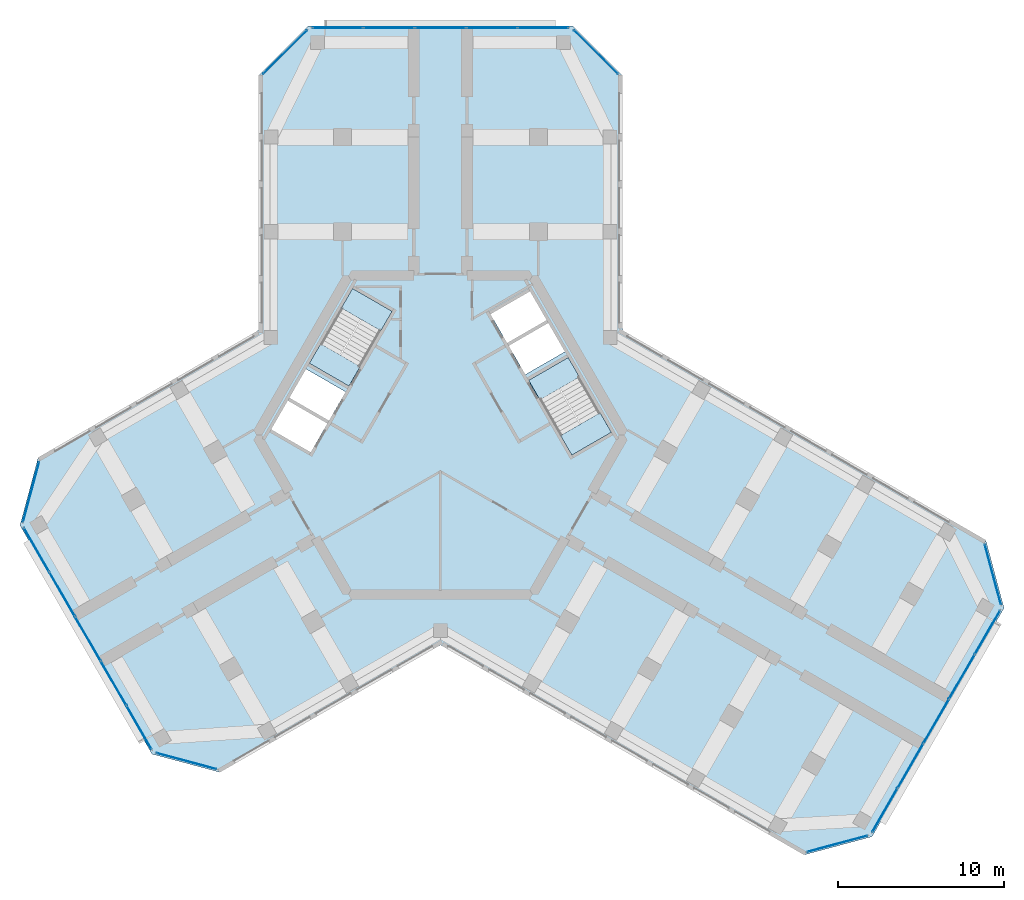
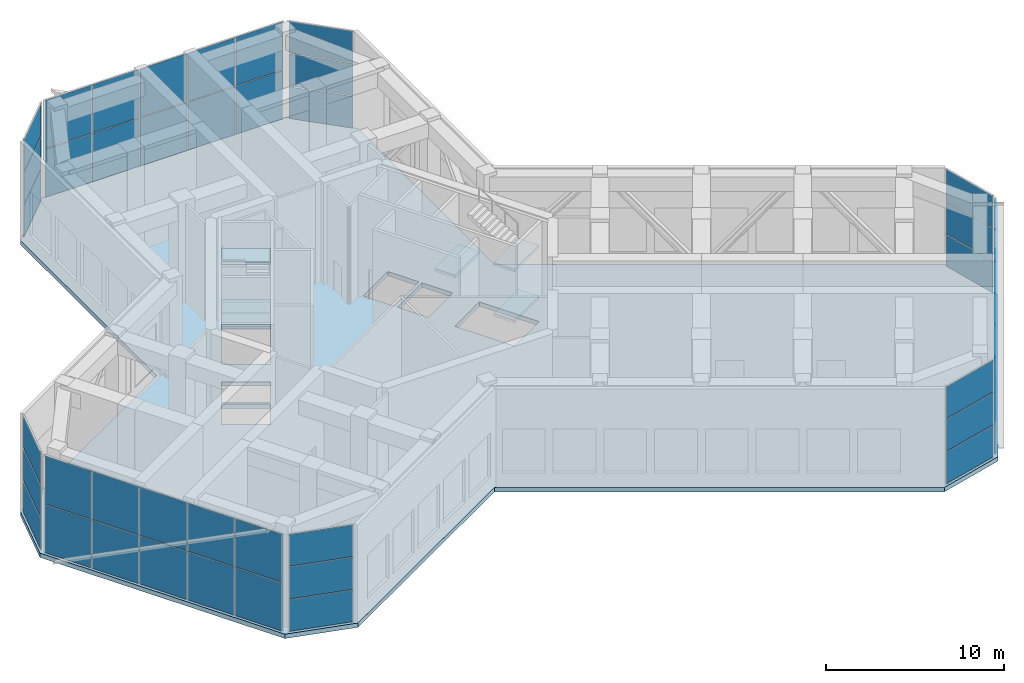
# One storey, part 7 of 12: 48 plates, 7 slabs, 11 elements without a shape of their own.
"""IFC4 building model written with IfcOpenShell, lengths in metres."""

from ifc_helpers import new_model, si_unit, direction, frame, origin, origin_2d, place, context, subcontext, project, spatial, polyline, rectangle, outline, extrude, material, layer, layer_set, type_object, element, aggregate, save


model = new_model("IFC4")

# Units and contexts
model_context = context("Model", 3, precision=1e-05, world=origin(), true_north=direction((0.0, 1.0)))
body_context = subcontext(model_context, "Body", "Model", "MODEL_VIEW")
ifc_project = project(units=[si_unit("LENGTHUNIT", "METRE"), si_unit("AREAUNIT", "SQUARE_METRE"), si_unit("VOLUMEUNIT", "CUBIC_METRE"), si_unit("PLANEANGLEUNIT", "RADIAN"), si_unit("MASSUNIT", "GRAM", prefix="KILO")], contexts=[model_context])

# Site, building, storey
site_placement = place(None, origin())
site = spatial("IfcSite", under=ifc_project, at=site_placement, CompositionType="ELEMENT")
building_placement = place(site_placement, origin())
building = spatial("IfcBuilding", under=site, at=building_placement, Name="Kosmar Iwan School Tower", CompositionType="ELEMENT")
storey_placement = place(building_placement, frame((0.0, 0.0, 260.39990234375)))
storey = spatial("IfcBuildingStorey", under=building, at=storey_placement, Name="L66", CompositionType="ELEMENT", Elevation=260.39990234375)

# Curtain wall, plates
ifc_material_1 = material(Name="Black aluminium louvres and glass", Category="aluminium")
curtain_wall_type_1 = type_object("IfcCurtainWallType", Name="Plant floor louvred curtain wall", PredefinedType="USERDEFINED", material=ifc_material_1)
curtain_wall_1_placement = place(storey_placement, origin())
curtain_wall_1 = element("IfcCurtainWall", 1, at=curtain_wall_1_placement, inside=storey, type_object=curtain_wall_type_1, Name="Curtain wall L66-F01", ObjectType="LOUVRED CURTAIN WALL", PredefinedType="USERDEFINED")
ifc_material_2 = material(Name="Black anodised aluminium louvre blades", Category="aluminium")
ifc_layer_1 = layer(ifc_material_2, 0.050048828125)
ifc_layer_set_1 = layer_set([ifc_layer_1], Name="Aluminium louvre panel")
plate_type_1 = type_object("IfcPlateType", Name="Aluminium louvre panel", PredefinedType="SHEET", material=ifc_layer_set_1)
plate_1_placement = place(storey_placement, frame((26.764404296875, -22.592529296875, 0.06005859375), z_axis=(0.0, 0.0, 1.0), x_axis=(0.499999997325, 0.866025405329, 0.0)))
plate_1 = element("IfcPlate", 2, at=plate_1_placement, type_object=plate_type_1, Name="CW4 panel 1.1", PredefinedType="CURTAIN_PANEL", context=body_context, shape_type="SweptSolid", body=[
    extrude(rectangle(XDim=3.00927734375, YDim=0.050048828125, at=origin_2d()), origin(), (0.0, 0.0, 1.0), 3.284912109375),
])
plate_2_placement = place(storey_placement, frame((26.764404296875, -22.592529296875, 3.4052734375), z_axis=(0.0, 0.0, 1.0), x_axis=(0.499999997325, 0.866025405329, 0.0)))
plate_2 = element("IfcPlate", 3, at=plate_2_placement, type_object=plate_type_1, Name="CW4 panel 1.2", PredefinedType="CURTAIN_PANEL", context=body_context, shape_type="SweptSolid", body=[
    extrude(rectangle(XDim=3.00927734375, YDim=0.050048828125, at=origin_2d()), origin(), (0.0, 0.0, 1.0), 3.284912109375),
])
plate_3_placement = place(storey_placement, frame((28.306640625, -19.921630859375, 0.06005859375), z_axis=(0.0, 0.0, 1.0), x_axis=(0.499999997325, 0.866025405329, 0.0)))
plate_3 = element("IfcPlate", 4, at=plate_3_placement, type_object=plate_type_1, Name="CW4 panel 2.1", PredefinedType="CURTAIN_PANEL", context=body_context, shape_type="SweptSolid", body=[
    extrude(rectangle(XDim=3.039306640625, YDim=0.050048828125, at=origin_2d()), origin(), (0.0, 0.0, 1.0), 3.284912109375),
])
plate_4_placement = place(storey_placement, frame((28.306640625, -19.921630859375, 3.4052734375), z_axis=(0.0, 0.0, 1.0), x_axis=(0.499999997325, 0.866025405329, 0.0)))
plate_4 = element("IfcPlate", 5, at=plate_4_placement, type_object=plate_type_1, Name="CW4 panel 2.2", PredefinedType="CURTAIN_PANEL", context=body_context, shape_type="SweptSolid", body=[
    extrude(rectangle(XDim=3.039306640625, YDim=0.050048828125, at=origin_2d()), origin(), (0.0, 0.0, 1.0), 3.284912109375),
])
plate_5_placement = place(storey_placement, frame((29.856201171875, -17.237548828125, 0.06005859375), z_axis=(0.0, 0.0, 1.0), x_axis=(0.499999997325, 0.866025405329, 0.0)))
plate_5 = element("IfcPlate", 6, at=plate_5_placement, type_object=plate_type_1, Name="CW4 panel 3.1", PredefinedType="CURTAIN_PANEL", context=body_context, shape_type="SweptSolid", body=[
    extrude(rectangle(XDim=3.039306640625, YDim=0.050048828125, at=origin_2d()), origin(), (0.0, 0.0, 1.0), 3.284912109375),
])
plate_6_placement = place(storey_placement, frame((29.856201171875, -17.237548828125, 3.4052734375), z_axis=(0.0, 0.0, 1.0), x_axis=(0.499999997325, 0.866025405329, 0.0)))
plate_6 = element("IfcPlate", 7, at=plate_6_placement, type_object=plate_type_1, Name="CW4 panel 3.2", PredefinedType="CURTAIN_PANEL", context=body_context, shape_type="SweptSolid", body=[
    extrude(rectangle(XDim=3.039306640625, YDim=0.050048828125, at=origin_2d()), origin(), (0.0, 0.0, 1.0), 3.284912109375),
])
plate_7_placement = place(storey_placement, frame((31.40576171875, -14.553466796875, 0.06005859375), z_axis=(0.0, 0.0, 1.0), x_axis=(0.499999997325, 0.866025405329, 0.0)))
plate_7 = element("IfcPlate", 8, at=plate_7_placement, type_object=plate_type_1, Name="CW4 panel 4.1", PredefinedType="CURTAIN_PANEL", context=body_context, shape_type="SweptSolid", body=[
    extrude(rectangle(XDim=3.039306640625, YDim=0.050048828125, at=origin_2d()), origin(), (0.0, 0.0, 1.0), 3.284912109375),
])
plate_8_placement = place(storey_placement, frame((31.40576171875, -14.553466796875, 3.4052734375), z_axis=(0.0, 0.0, 1.0), x_axis=(0.499999997325, 0.866025405329, 0.0)))
plate_8 = element("IfcPlate", 9, at=plate_8_placement, type_object=plate_type_1, Name="CW4 panel 4.2", PredefinedType="CURTAIN_PANEL", context=body_context, shape_type="SweptSolid", body=[
    extrude(rectangle(XDim=3.039306640625, YDim=0.050048828125, at=origin_2d()), origin(), (0.0, 0.0, 1.0), 3.284912109375),
])
plate_9_placement = place(storey_placement, frame((32.947998046875, -11.88232421875, 0.06005859375), z_axis=(0.0, 0.0, 1.0), x_axis=(0.499999997325, 0.866025405329, 0.0)))
plate_9 = element("IfcPlate", 10, at=plate_9_placement, type_object=plate_type_1, Name="CW4 panel 5.1", PredefinedType="CURTAIN_PANEL", context=body_context, shape_type="SweptSolid", body=[
    extrude(rectangle(XDim=3.00927734375, YDim=0.050048828125, at=origin_2d()), origin(), (0.0, 0.0, 1.0), 3.284912109375),
])
plate_10_placement = place(storey_placement, frame((32.947998046875, -11.88232421875, 3.4052734375), z_axis=(0.0, 0.0, 1.0), x_axis=(0.499999997325, 0.866025405329, 0.0)))
plate_10 = element("IfcPlate", 11, at=plate_10_placement, type_object=plate_type_1, Name="CW4 panel 5.2", PredefinedType="CURTAIN_PANEL", context=body_context, shape_type="SweptSolid", body=[
    extrude(rectangle(XDim=3.00927734375, YDim=0.050048828125, at=origin_2d()), origin(), (0.0, 0.0, 1.0), 3.284912109375),
])
aggregate(curtain_wall_1, [plate_1, plate_2, plate_3, plate_4, plate_5, plate_6, plate_7, plate_8, plate_9, plate_10])

curtain_wall_2_placement = place(storey_placement, origin())
curtain_wall_2 = element("IfcCurtainWall", 12, at=curtain_wall_2_placement, inside=storey, type_object=curtain_wall_type_1, Name="Curtain wall L66-F06", ObjectType="LOUVRED CURTAIN WALL", PredefinedType="USERDEFINED")
plate_11_placement = place(storey_placement, frame((6.18359375, 24.52490234375, 0.06005859375), z_axis=(0.0, 0.0, 1.0), x_axis=(-1.0, 0.0, 0.0)))
plate_11 = element("IfcPlate", 13, at=plate_11_placement, type_object=plate_type_1, Name="CW4 panel 1.1", PredefinedType="CURTAIN_PANEL", context=body_context, shape_type="SweptSolid", body=[
    extrude(rectangle(XDim=3.00927734375, YDim=0.050048828125, at=origin_2d()), origin(), (0.0, 0.0, 1.0), 3.284912109375),
])
plate_12_placement = place(storey_placement, frame((6.18359375, 24.52490234375, 3.4052734375), z_axis=(0.0, 0.0, 1.0), x_axis=(-1.0, 0.0, 0.0)))
plate_12 = element("IfcPlate", 14, at=plate_12_placement, type_object=plate_type_1, Name="CW4 panel 1.2", PredefinedType="CURTAIN_PANEL", context=body_context, shape_type="SweptSolid", body=[
    extrude(rectangle(XDim=3.00927734375, YDim=0.050048828125, at=origin_2d()), origin(), (0.0, 0.0, 1.0), 3.284912109375),
])
plate_13_placement = place(storey_placement, frame((3.099365234375, 24.52490234375, 0.06005859375), z_axis=(0.0, 0.0, 1.0), x_axis=(-1.0, 0.0, 0.0)))
plate_13 = element("IfcPlate", 15, at=plate_13_placement, type_object=plate_type_1, Name="CW4 panel 2.1", PredefinedType="CURTAIN_PANEL", context=body_context, shape_type="SweptSolid", body=[
    extrude(rectangle(XDim=3.039306640625, YDim=0.050048828125, at=origin_2d()), origin(), (0.0, 0.0, 1.0), 3.284912109375),
])
plate_14_placement = place(storey_placement, frame((3.099365234375, 24.52490234375, 3.4052734375), z_axis=(0.0, 0.0, 1.0), x_axis=(-1.0, 0.0, 0.0)))
plate_14 = element("IfcPlate", 16, at=plate_14_placement, type_object=plate_type_1, Name="CW4 panel 2.2", PredefinedType="CURTAIN_PANEL", context=body_context, shape_type="SweptSolid", body=[
    extrude(rectangle(XDim=3.039306640625, YDim=0.050048828125, at=origin_2d()), origin(), (0.0, 0.0, 1.0), 3.284912109375),
])
plate_15_placement = place(storey_placement, frame((0.0, 24.52490234375, 0.06005859375), z_axis=(0.0, 0.0, 1.0), x_axis=(-1.0, 0.0, 0.0)))
plate_15 = element("IfcPlate", 17, at=plate_15_placement, type_object=plate_type_1, Name="CW4 panel 3.1", PredefinedType="CURTAIN_PANEL", context=body_context, shape_type="SweptSolid", body=[
    extrude(rectangle(XDim=3.039306640625, YDim=0.050048828125, at=origin_2d()), origin(), (0.0, 0.0, 1.0), 3.284912109375),
])
plate_16_placement = place(storey_placement, frame((0.0, 24.52490234375, 3.4052734375), z_axis=(0.0, 0.0, 1.0), x_axis=(-1.0, 0.0, 0.0)))
plate_16 = element("IfcPlate", 18, at=plate_16_placement, type_object=plate_type_1, Name="CW4 panel 3.2", PredefinedType="CURTAIN_PANEL", context=body_context, shape_type="SweptSolid", body=[
    extrude(rectangle(XDim=3.039306640625, YDim=0.050048828125, at=origin_2d()), origin(), (0.0, 0.0, 1.0), 3.284912109375),
])
plate_17_placement = place(storey_placement, frame((-3.099365234375, 24.52490234375, 0.06005859375), z_axis=(0.0, 0.0, 1.0), x_axis=(-1.0, 0.0, 0.0)))
plate_17 = element("IfcPlate", 19, at=plate_17_placement, type_object=plate_type_1, Name="CW4 panel 4.1", PredefinedType="CURTAIN_PANEL", context=body_context, shape_type="SweptSolid", body=[
    extrude(rectangle(XDim=3.039306640625, YDim=0.050048828125, at=origin_2d()), origin(), (0.0, 0.0, 1.0), 3.284912109375),
])
plate_18_placement = place(storey_placement, frame((-3.099365234375, 24.52490234375, 3.4052734375), z_axis=(0.0, 0.0, 1.0), x_axis=(-1.0, 0.0, 0.0)))
plate_18 = element("IfcPlate", 20, at=plate_18_placement, type_object=plate_type_1, Name="CW4 panel 4.2", PredefinedType="CURTAIN_PANEL", context=body_context, shape_type="SweptSolid", body=[
    extrude(rectangle(XDim=3.039306640625, YDim=0.050048828125, at=origin_2d()), origin(), (0.0, 0.0, 1.0), 3.284912109375),
])
plate_19_placement = place(storey_placement, frame((-6.18359375, 24.52490234375, 0.06005859375), z_axis=(0.0, 0.0, 1.0), x_axis=(-1.0, 0.0, 0.0)))
plate_19 = element("IfcPlate", 21, at=plate_19_placement, type_object=plate_type_1, Name="CW4 panel 5.1", PredefinedType="CURTAIN_PANEL", context=body_context, shape_type="SweptSolid", body=[
    extrude(rectangle(XDim=3.00927734375, YDim=0.050048828125, at=origin_2d()), origin(), (0.0, 0.0, 1.0), 3.284912109375),
])
plate_20_placement = place(storey_placement, frame((-6.18359375, 24.52490234375, 3.4052734375), z_axis=(0.0, 0.0, 1.0), x_axis=(-1.0, 0.0, 0.0)))
plate_20 = element("IfcPlate", 22, at=plate_20_placement, type_object=plate_type_1, Name="CW4 panel 5.2", PredefinedType="CURTAIN_PANEL", context=body_context, shape_type="SweptSolid", body=[
    extrude(rectangle(XDim=3.00927734375, YDim=0.050048828125, at=origin_2d()), origin(), (0.0, 0.0, 1.0), 3.284912109375),
])
aggregate(curtain_wall_2, [plate_11, plate_12, plate_13, plate_14, plate_15, plate_16, plate_17, plate_18, plate_19, plate_20])

curtain_wall_3_placement = place(storey_placement, origin())
curtain_wall_3 = element("IfcCurtainWall", 23, at=curtain_wall_3_placement, inside=storey, type_object=curtain_wall_type_1, Name="Curtain wall L66-F11", ObjectType="LOUVRED CURTAIN WALL", PredefinedType="USERDEFINED")
plate_21_placement = place(storey_placement, frame((-24.3310546875, -6.907470703125, 0.06005859375), z_axis=(0.0, 0.0, 1.0), x_axis=(0.499999997325, -0.866025405329, 0.0)))
plate_21 = element("IfcPlate", 24, at=plate_21_placement, type_object=plate_type_1, Name="CW4 panel 1.1", PredefinedType="CURTAIN_PANEL", context=body_context, shape_type="SweptSolid", body=[
    extrude(rectangle(XDim=3.00927734375, YDim=0.050048828125, at=origin_2d()), origin(), (0.0, 0.0, 1.0), 3.284912109375),
])
plate_22_placement = place(storey_placement, frame((-24.3310546875, -6.907470703125, 3.4052734375), z_axis=(0.0, 0.0, 1.0), x_axis=(0.499999997325, -0.866025405329, 0.0)))
plate_22 = element("IfcPlate", 25, at=plate_22_placement, type_object=plate_type_1, Name="CW4 panel 1.2", PredefinedType="CURTAIN_PANEL", context=body_context, shape_type="SweptSolid", body=[
    extrude(rectangle(XDim=3.00927734375, YDim=0.050048828125, at=origin_2d()), origin(), (0.0, 0.0, 1.0), 3.284912109375),
])
plate_23_placement = place(storey_placement, frame((-22.788818359375, -9.578369140625, 0.06005859375), z_axis=(0.0, 0.0, 1.0), x_axis=(0.499999997325, -0.866025405329, 0.0)))
plate_23 = element("IfcPlate", 26, at=plate_23_placement, type_object=plate_type_1, Name="CW4 panel 2.1", PredefinedType="CURTAIN_PANEL", context=body_context, shape_type="SweptSolid", body=[
    extrude(rectangle(XDim=3.039306640625, YDim=0.050048828125, at=origin_2d()), origin(), (0.0, 0.0, 1.0), 3.284912109375),
])
plate_24_placement = place(storey_placement, frame((-22.788818359375, -9.578369140625, 3.4052734375), z_axis=(0.0, 0.0, 1.0), x_axis=(0.499999997325, -0.866025405329, 0.0)))
plate_24 = element("IfcPlate", 27, at=plate_24_placement, type_object=plate_type_1, Name="CW4 panel 2.2", PredefinedType="CURTAIN_PANEL", context=body_context, shape_type="SweptSolid", body=[
    extrude(rectangle(XDim=3.039306640625, YDim=0.050048828125, at=origin_2d()), origin(), (0.0, 0.0, 1.0), 3.284912109375),
])
plate_25_placement = place(storey_placement, frame((-21.2392578125, -12.262451171875, 0.06005859375), z_axis=(0.0, 0.0, 1.0), x_axis=(0.499999997325, -0.866025405329, 0.0)))
plate_25 = element("IfcPlate", 28, at=plate_25_placement, type_object=plate_type_1, Name="CW4 panel 3.1", PredefinedType="CURTAIN_PANEL", context=body_context, shape_type="SweptSolid", body=[
    extrude(rectangle(XDim=3.039306640625, YDim=0.050048828125, at=origin_2d()), origin(), (0.0, 0.0, 1.0), 3.284912109375),
])
plate_26_placement = place(storey_placement, frame((-21.2392578125, -12.262451171875, 3.4052734375), z_axis=(0.0, 0.0, 1.0), x_axis=(0.499999997325, -0.866025405329, 0.0)))
plate_26 = element("IfcPlate", 29, at=plate_26_placement, type_object=plate_type_1, Name="CW4 panel 3.2", PredefinedType="CURTAIN_PANEL", context=body_context, shape_type="SweptSolid", body=[
    extrude(rectangle(XDim=3.039306640625, YDim=0.050048828125, at=origin_2d()), origin(), (0.0, 0.0, 1.0), 3.284912109375),
])
plate_27_placement = place(storey_placement, frame((-19.689697265625, -14.946533203125, 0.06005859375), z_axis=(0.0, 0.0, 1.0), x_axis=(0.499999997325, -0.866025405329, 0.0)))
plate_27 = element("IfcPlate", 30, at=plate_27_placement, type_object=plate_type_1, Name="CW4 panel 4.1", PredefinedType="CURTAIN_PANEL", context=body_context, shape_type="SweptSolid", body=[
    extrude(rectangle(XDim=3.039306640625, YDim=0.050048828125, at=origin_2d()), origin(), (0.0, 0.0, 1.0), 3.284912109375),
])
plate_28_placement = place(storey_placement, frame((-19.689697265625, -14.946533203125, 3.4052734375), z_axis=(0.0, 0.0, 1.0), x_axis=(0.499999997325, -0.866025405329, 0.0)))
plate_28 = element("IfcPlate", 31, at=plate_28_placement, type_object=plate_type_1, Name="CW4 panel 4.2", PredefinedType="CURTAIN_PANEL", context=body_context, shape_type="SweptSolid", body=[
    extrude(rectangle(XDim=3.039306640625, YDim=0.050048828125, at=origin_2d()), origin(), (0.0, 0.0, 1.0), 3.284912109375),
])
plate_29_placement = place(storey_placement, frame((-18.1474609375, -17.61767578125, 0.06005859375), z_axis=(0.0, 0.0, 1.0), x_axis=(0.499999997325, -0.866025405329, 0.0)))
plate_29 = element("IfcPlate", 32, at=plate_29_placement, type_object=plate_type_1, Name="CW4 panel 5.1", PredefinedType="CURTAIN_PANEL", context=body_context, shape_type="SweptSolid", body=[
    extrude(rectangle(XDim=3.00927734375, YDim=0.050048828125, at=origin_2d()), origin(), (0.0, 0.0, 1.0), 3.284912109375),
])
plate_30_placement = place(storey_placement, frame((-18.1474609375, -17.61767578125, 3.4052734375), z_axis=(0.0, 0.0, 1.0), x_axis=(0.499999997325, -0.866025405329, 0.0)))
plate_30 = element("IfcPlate", 33, at=plate_30_placement, type_object=plate_type_1, Name="CW4 panel 5.2", PredefinedType="CURTAIN_PANEL", context=body_context, shape_type="SweptSolid", body=[
    extrude(rectangle(XDim=3.00927734375, YDim=0.050048828125, at=origin_2d()), origin(), (0.0, 0.0, 1.0), 3.284912109375),
])
aggregate(curtain_wall_3, [plate_21, plate_22, plate_23, plate_24, plate_25, plate_26, plate_27, plate_28, plate_29, plate_30])

ifc_material_3 = material(Name="Dark glass in black aluminium frame", Category="aluminium")
curtain_wall_type_2 = type_object("IfcCurtainWallType", Name="Chamfer curtain wall dark glass", PredefinedType="USERDEFINED", material=ifc_material_3)
curtain_wall_4_placement = place(storey_placement, origin())
curtain_wall_4 = element("IfcCurtainWall", 34, at=curtain_wall_4_placement, inside=storey, type_object=curtain_wall_type_2, Name="Curtain wall L66-F00", ObjectType="FACETED CURTAIN WALL", PredefinedType="USERDEFINED")
ifc_material_4 = material(Name="Dark glass", Category="glass")
ifc_layer_2 = layer(ifc_material_4, 0.028076171875)
ifc_layer_set_2 = layer_set([ifc_layer_2], Name="Dark glass panel 28")
plate_type_2 = type_object("IfcPlateType", Name="Dark glass panel 28", PredefinedType="CURTAIN_PANEL", material=ifc_layer_set_2)
plate_31_placement = place(storey_placement, frame((23.908203125, -24.61328125, 0.06005859375), z_axis=(0.0, 0.0, 1.0), x_axis=(0.965925875495, 0.258818861462, 0.0)))
plate_31 = element("IfcPlate", 35, at=plate_31_placement, type_object=plate_type_2, Name="CW2 panel 1.1", PredefinedType="CURTAIN_PANEL", context=body_context, shape_type="SweptSolid", body=[
    extrude(rectangle(XDim=3.718994140625, YDim=0.028076171875, at=origin_2d()), origin(), (0.0, 0.0, 1.0), 2.159912109375),
])
plate_32_placement = place(storey_placement, frame((23.908203125, -24.61328125, 2.280029296875), z_axis=(0.0, 0.0, 1.0), x_axis=(0.965925875495, 0.258818861462, 0.0)))
plate_32 = element("IfcPlate", 36, at=plate_32_placement, type_object=plate_type_2, Name="CW2 panel 1.2", PredefinedType="CURTAIN_PANEL", context=body_context, shape_type="SweptSolid", body=[
    extrude(rectangle(XDim=3.718994140625, YDim=0.028076171875, at=origin_2d()), origin(), (0.0, 0.0, 1.0), 2.18994140625),
])
plate_33_placement = place(storey_placement, frame((23.908203125, -24.61328125, 4.5302734375), z_axis=(0.0, 0.0, 1.0), x_axis=(0.965925875495, 0.258818861462, 0.0)))
plate_33 = element("IfcPlate", 37, at=plate_33_placement, type_object=plate_type_2, Name="CW2 panel 1.3", PredefinedType="CURTAIN_PANEL", context=body_context, shape_type="SweptSolid", body=[
    extrude(rectangle(XDim=3.718994140625, YDim=0.028076171875, at=origin_2d()), origin(), (0.0, 0.0, 1.0), 2.159912109375),
])
aggregate(curtain_wall_4, [plate_31, plate_32, plate_33])

curtain_wall_5_placement = place(storey_placement, origin())
curtain_wall_5 = element("IfcCurtainWall", 38, at=curtain_wall_5_placement, inside=storey, type_object=curtain_wall_type_2, Name="Curtain wall L66-F02", ObjectType="FACETED CURTAIN WALL", PredefinedType="USERDEFINED")
plate_34_placement = place(storey_placement, frame((33.269775390625, -8.3984375, 0.06005859375), z_axis=(0.0, 0.0, 1.0), x_axis=(-0.258818861462, 0.965925875495, 0.0)))
plate_34 = element("IfcPlate", 39, at=plate_34_placement, type_object=plate_type_2, Name="CW2 panel 1.1", PredefinedType="CURTAIN_PANEL", context=body_context, shape_type="SweptSolid", body=[
    extrude(rectangle(XDim=3.718994140625, YDim=0.028076171875, at=origin_2d()), origin(), (0.0, 0.0, 1.0), 2.159912109375),
])
plate_35_placement = place(storey_placement, frame((33.269775390625, -8.3984375, 2.280029296875), z_axis=(0.0, 0.0, 1.0), x_axis=(-0.258818861462, 0.965925875495, 0.0)))
plate_35 = element("IfcPlate", 40, at=plate_35_placement, type_object=plate_type_2, Name="CW2 panel 1.2", PredefinedType="CURTAIN_PANEL", context=body_context, shape_type="SweptSolid", body=[
    extrude(rectangle(XDim=3.718994140625, YDim=0.028076171875, at=origin_2d()), origin(), (0.0, 0.0, 1.0), 2.18994140625),
])
plate_36_placement = place(storey_placement, frame((33.269775390625, -8.3984375, 4.5302734375), z_axis=(0.0, 0.0, 1.0), x_axis=(-0.258818861462, 0.965925875495, 0.0)))
plate_36 = element("IfcPlate", 41, at=plate_36_placement, type_object=plate_type_2, Name="CW2 panel 1.3", PredefinedType="CURTAIN_PANEL", context=body_context, shape_type="SweptSolid", body=[
    extrude(rectangle(XDim=3.718994140625, YDim=0.028076171875, at=origin_2d()), origin(), (0.0, 0.0, 1.0), 2.159912109375),
])
aggregate(curtain_wall_5, [plate_34, plate_35, plate_36])

curtain_wall_6_placement = place(storey_placement, origin())
curtain_wall_6 = element("IfcCurtainWall", 42, at=curtain_wall_6_placement, inside=storey, type_object=curtain_wall_type_2, Name="Curtain wall L66-F05", ObjectType="FACETED CURTAIN WALL", PredefinedType="USERDEFINED")
plate_37_placement = place(storey_placement, frame((9.361572265625, 23.0615234375, 0.06005859375), z_axis=(0.0, 0.0, 1.0), x_axis=(-0.707106781187, 0.707106781187, 0.0)))
plate_37 = element("IfcPlate", 43, at=plate_37_placement, type_object=plate_type_2, Name="CW2 panel 1.1", PredefinedType="CURTAIN_PANEL", context=body_context, shape_type="SweptSolid", body=[
    extrude(rectangle(XDim=3.718994140625, YDim=0.028076171875, at=origin_2d()), origin(), (0.0, 0.0, 1.0), 2.159912109375),
])
plate_38_placement = place(storey_placement, frame((9.361572265625, 23.0615234375, 2.280029296875), z_axis=(0.0, 0.0, 1.0), x_axis=(-0.707106781187, 0.707106781187, 0.0)))
plate_38 = element("IfcPlate", 44, at=plate_38_placement, type_object=plate_type_2, Name="CW2 panel 1.2", PredefinedType="CURTAIN_PANEL", context=body_context, shape_type="SweptSolid", body=[
    extrude(rectangle(XDim=3.718994140625, YDim=0.028076171875, at=origin_2d()), origin(), (0.0, 0.0, 1.0), 2.18994140625),
])
plate_39_placement = place(storey_placement, frame((9.361572265625, 23.0615234375, 4.5302734375), z_axis=(0.0, 0.0, 1.0), x_axis=(-0.707106781187, 0.707106781187, 0.0)))
plate_39 = element("IfcPlate", 45, at=plate_39_placement, type_object=plate_type_2, Name="CW2 panel 1.3", PredefinedType="CURTAIN_PANEL", context=body_context, shape_type="SweptSolid", body=[
    extrude(rectangle(XDim=3.718994140625, YDim=0.028076171875, at=origin_2d()), origin(), (0.0, 0.0, 1.0), 2.159912109375),
])
aggregate(curtain_wall_6, [plate_37, plate_38, plate_39])

curtain_wall_7_placement = place(storey_placement, origin())
curtain_wall_7 = element("IfcCurtainWall", 46, at=curtain_wall_7_placement, inside=storey, type_object=curtain_wall_type_2, Name="Curtain wall L66-F07", ObjectType="FACETED CURTAIN WALL", PredefinedType="USERDEFINED")
plate_40_placement = place(storey_placement, frame((-9.361572265625, 23.0615234375, 0.06005859375), z_axis=(0.0, 0.0, 1.0), x_axis=(-0.707106781187, -0.707106781187, 0.0)))
plate_40 = element("IfcPlate", 47, at=plate_40_placement, type_object=plate_type_2, Name="CW2 panel 1.1", PredefinedType="CURTAIN_PANEL", context=body_context, shape_type="SweptSolid", body=[
    extrude(rectangle(XDim=3.718994140625, YDim=0.028076171875, at=origin_2d()), origin(), (0.0, 0.0, 1.0), 2.159912109375),
])
plate_41_placement = place(storey_placement, frame((-9.361572265625, 23.0615234375, 2.280029296875), z_axis=(0.0, 0.0, 1.0), x_axis=(-0.707106781187, -0.707106781187, 0.0)))
plate_41 = element("IfcPlate", 48, at=plate_41_placement, type_object=plate_type_2, Name="CW2 panel 1.2", PredefinedType="CURTAIN_PANEL", context=body_context, shape_type="SweptSolid", body=[
    extrude(rectangle(XDim=3.718994140625, YDim=0.028076171875, at=origin_2d()), origin(), (0.0, 0.0, 1.0), 2.18994140625),
])
plate_42_placement = place(storey_placement, frame((-9.361572265625, 23.0615234375, 4.5302734375), z_axis=(0.0, 0.0, 1.0), x_axis=(-0.707106781187, -0.707106781187, 0.0)))
plate_42 = element("IfcPlate", 49, at=plate_42_placement, type_object=plate_type_2, Name="CW2 panel 1.3", PredefinedType="CURTAIN_PANEL", context=body_context, shape_type="SweptSolid", body=[
    extrude(rectangle(XDim=3.718994140625, YDim=0.028076171875, at=origin_2d()), origin(), (0.0, 0.0, 1.0), 2.159912109375),
])
aggregate(curtain_wall_7, [plate_40, plate_41, plate_42])

curtain_wall_8_placement = place(storey_placement, origin())
curtain_wall_8 = element("IfcCurtainWall", 50, at=curtain_wall_8_placement, inside=storey, type_object=curtain_wall_type_2, Name="Curtain wall L66-F10", ObjectType="FACETED CURTAIN WALL", PredefinedType="USERDEFINED")
plate_43_placement = place(storey_placement, frame((-24.65283203125, -3.42333984375, 0.06005859375), z_axis=(0.0, 0.0, 1.0), x_axis=(-0.258818861462, -0.965925875495, 0.0)))
plate_43 = element("IfcPlate", 51, at=plate_43_placement, type_object=plate_type_2, Name="CW2 panel 1.1", PredefinedType="CURTAIN_PANEL", context=body_context, shape_type="SweptSolid", body=[
    extrude(rectangle(XDim=3.718994140625, YDim=0.028076171875, at=origin_2d()), origin(), (0.0, 0.0, 1.0), 2.159912109375),
])
plate_44_placement = place(storey_placement, frame((-24.65283203125, -3.42333984375, 2.280029296875), z_axis=(0.0, 0.0, 1.0), x_axis=(-0.258818861462, -0.965925875495, 0.0)))
plate_44 = element("IfcPlate", 52, at=plate_44_placement, type_object=plate_type_2, Name="CW2 panel 1.2", PredefinedType="CURTAIN_PANEL", context=body_context, shape_type="SweptSolid", body=[
    extrude(rectangle(XDim=3.718994140625, YDim=0.028076171875, at=origin_2d()), origin(), (0.0, 0.0, 1.0), 2.18994140625),
])
plate_45_placement = place(storey_placement, frame((-24.65283203125, -3.42333984375, 4.5302734375), z_axis=(0.0, 0.0, 1.0), x_axis=(-0.258818861462, -0.965925875495, 0.0)))
plate_45 = element("IfcPlate", 53, at=plate_45_placement, type_object=plate_type_2, Name="CW2 panel 1.3", PredefinedType="CURTAIN_PANEL", context=body_context, shape_type="SweptSolid", body=[
    extrude(rectangle(XDim=3.718994140625, YDim=0.028076171875, at=origin_2d()), origin(), (0.0, 0.0, 1.0), 2.159912109375),
])
aggregate(curtain_wall_8, [plate_43, plate_44, plate_45])

curtain_wall_9_placement = place(storey_placement, origin())
curtain_wall_9 = element("IfcCurtainWall", 54, at=curtain_wall_9_placement, inside=storey, type_object=curtain_wall_type_2, Name="Curtain wall L66-F12", ObjectType="FACETED CURTAIN WALL", PredefinedType="USERDEFINED")
plate_46_placement = place(storey_placement, frame((-15.291015625, -19.63818359375, 0.06005859375), z_axis=(0.0, 0.0, 1.0), x_axis=(0.965925875495, -0.258818861462, 0.0)))
plate_46 = element("IfcPlate", 55, at=plate_46_placement, type_object=plate_type_2, Name="CW2 panel 1.1", PredefinedType="CURTAIN_PANEL", context=body_context, shape_type="SweptSolid", body=[
    extrude(rectangle(XDim=3.718994140625, YDim=0.028076171875, at=origin_2d()), origin(), (0.0, 0.0, 1.0), 2.159912109375),
])
plate_47_placement = place(storey_placement, frame((-15.291015625, -19.63818359375, 2.280029296875), z_axis=(0.0, 0.0, 1.0), x_axis=(0.965925875495, -0.258818861462, 0.0)))
plate_47 = element("IfcPlate", 56, at=plate_47_placement, type_object=plate_type_2, Name="CW2 panel 1.2", PredefinedType="CURTAIN_PANEL", context=body_context, shape_type="SweptSolid", body=[
    extrude(rectangle(XDim=3.718994140625, YDim=0.028076171875, at=origin_2d()), origin(), (0.0, 0.0, 1.0), 2.18994140625),
])
plate_48_placement = place(storey_placement, frame((-15.291015625, -19.63818359375, 4.5302734375), z_axis=(0.0, 0.0, 1.0), x_axis=(0.965925875495, -0.258818861462, 0.0)))
plate_48 = element("IfcPlate", 57, at=plate_48_placement, type_object=plate_type_2, Name="CW2 panel 1.3", PredefinedType="CURTAIN_PANEL", context=body_context, shape_type="SweptSolid", body=[
    extrude(rectangle(XDim=3.718994140625, YDim=0.028076171875, at=origin_2d()), origin(), (0.0, 0.0, 1.0), 2.159912109375),
])
aggregate(curtain_wall_9, [plate_46, plate_47, plate_48])

# Slab
ifc_material_5 = material(Name="Concrete C35/45", Category="concrete")
ifc_layer_3 = layer(ifc_material_5, 0.300048828125)
ifc_layer_set_3 = layer_set([ifc_layer_3], Name="Plant floor slab 300")
slab_type_1 = type_object("IfcSlabType", Name="Plant floor slab 300", PredefinedType="FLOOR", material=ifc_layer_set_3)
slab_1_placement = place(storey_placement, frame((0.0, 0.0, -0.2998046875)))
element("IfcSlab", 58, at=slab_1_placement, inside=storey, type_object=slab_type_1, Name="L66 floor slab", PredefinedType="FLOOR", context=body_context, shape_type="SweptSolid", body=[
    extrude(outline(polyline([(21.891357421875, -25.282958984375), (25.989501953125, -24.184814453125), (33.939453125, -10.4150390625), (32.84130859375, -6.317138671875), (10.949951171875, 6.322021484375), (10.949951171875, 21.64990234375), (7.949951171875, 24.64990234375), (-7.949951171875, 24.64990234375), (-10.949951171875, 21.64990234375), (-10.949951171875, 6.322021484375), (-24.224365234375, -1.342041015625), (-25.322509765625, -5.440185546875), (-17.37255859375, -19.2099609375), (-13.2744140625, -20.307861328125), (0.0, -12.64404296875), (21.891357421875, -25.282958984375)]), holes=[polyline([(7.91259765625, -1.205078125), (10.294189453125, 0.169921875), (8.3642578125, 3.5126953125), (5.982666015625, 2.1376953125), (7.91259765625, -1.205078125)]), polyline([(-2.91259765625, 7.455078125), (-5.294189453125, 8.830078125), (-7.22412109375, 5.4873046875), (-4.8427734375, 4.1123046875), (-2.91259765625, 7.455078125)]), polyline([(-5.712646484375, 2.60546875), (-8.09423828125, 3.98046875), (-9.09423828125, 2.248291015625), (-6.712646484375, 0.873291015625), (-5.712646484375, 2.60546875)]), polyline([(-6.812744140625, 0.7001953125), (-9.1943359375, 2.0751953125), (-10.1943359375, 0.343017578125), (-7.812744140625, -1.031982421875), (-6.812744140625, 0.7001953125)]), polyline([(5.112548828125, 3.64453125), (7.494140625, 5.01953125), (6.494140625, 6.751708984375), (4.112548828125, 5.376708984375), (5.112548828125, 3.64453125)]), polyline([(4.0126953125, 5.5498046875), (6.394287109375, 6.9248046875), (5.394287109375, 8.656982421875), (3.0126953125, 7.281982421875), (4.0126953125, 5.5498046875)])]), origin(), (0.0, 0.0, 1.0), 0.2998046875),
])

# Stair, slabs
ifc_material_6 = material(Name="Concrete C35/45", Category="concrete")
stair_type = type_object("IfcStairType", Name="Core stair 2750", PredefinedType="HALF_TURN_STAIR", material=ifc_material_6)
stair_1_placement = place(storey_placement, origin())
stair_1 = element("IfcStair", 59, at=stair_1_placement, inside=storey, type_object=stair_type, Name="Stair ST2 L66", PredefinedType="HALF_TURN_STAIR")
ifc_material_7 = material(Name="Concrete C35/45", Category="concrete")
ifc_layer_4 = layer(ifc_material_7, 0.199951171875)
ifc_layer_set_4 = layer_set([ifc_layer_4], Name="Stair landing 200")
slab_type_2 = type_object("IfcSlabType", Name="Stair landing 200", PredefinedType="LANDING", material=ifc_layer_set_4)
slab_2_placement = place(storey_placement, frame((0.0, 0.0, 1.550048828125)))
slab_2 = element("IfcSlab", 60, at=slab_2_placement, type_object=slab_type_2, Name="ST2 landing 1", PredefinedType="LANDING", context=body_context, shape_type="SweptSolid", body=[
    extrude(outline(polyline([(-2.91259765625, 7.455078125), (-5.294189453125, 8.830078125), (-5.97412109375, 7.65234375), (-3.5927734375, 6.27734375), (-2.91259765625, 7.455078125)])), origin(), (0.0, 0.0, 1.0), 0.199951171875),
])
slab_3_placement = place(storey_placement, frame((0.0, 0.0, 3.300048828125)))
slab_3 = element("IfcSlab", 61, at=slab_3_placement, type_object=slab_type_2, Name="ST2 landing 2", PredefinedType="LANDING", context=body_context, shape_type="SweptSolid", body=[
    extrude(outline(polyline([(-4.832763671875, 4.129638671875), (-7.214111328125, 5.504638671875), (-7.894287109375, 4.326904296875), (-5.5126953125, 2.951904296875), (-4.832763671875, 4.129638671875)])), origin(), (0.0, 0.0, 1.0), 0.199951171875),
])
slab_4_placement = place(storey_placement, frame((0.0, 0.0, 5.050048828125)))
slab_4 = element("IfcSlab", 62, at=slab_4_placement, type_object=slab_type_2, Name="ST2 landing 3", PredefinedType="LANDING", context=body_context, shape_type="SweptSolid", body=[
    extrude(outline(polyline([(-2.91259765625, 7.455078125), (-5.294189453125, 8.830078125), (-5.97412109375, 7.65234375), (-3.5927734375, 6.27734375), (-2.91259765625, 7.455078125)])), origin(), (0.0, 0.0, 1.0), 0.199951171875),
])
aggregate(stair_1, [slab_2, slab_3, slab_4])

stair_2_placement = place(storey_placement, origin())
stair_2 = element("IfcStair", 63, at=stair_2_placement, inside=storey, type_object=stair_type, Name="Stair ST1 L66", PredefinedType="HALF_TURN_STAIR")
slab_5_placement = place(storey_placement, frame((0.0, 0.0, 1.550048828125)))
slab_5 = element("IfcSlab", 64, at=slab_5_placement, type_object=slab_type_2, Name="ST1 landing 1", PredefinedType="LANDING", context=body_context, shape_type="SweptSolid", body=[
    extrude(outline(polyline([(7.91259765625, -1.205078125), (10.294189453125, 0.169921875), (9.6142578125, 1.34765625), (7.232666015625, -0.02734375), (7.91259765625, -1.205078125)])), origin(), (0.0, 0.0, 1.0), 0.199951171875),
])
slab_6_placement = place(storey_placement, frame((0.0, 0.0, 3.300048828125)))
slab_6 = element("IfcSlab", 65, at=slab_6_placement, type_object=slab_type_2, Name="ST1 landing 2", PredefinedType="LANDING", context=body_context, shape_type="SweptSolid", body=[
    extrude(outline(polyline([(5.99267578125, 2.120361328125), (8.374267578125, 3.495361328125), (7.6943359375, 4.673095703125), (5.312744140625, 3.298095703125), (5.99267578125, 2.120361328125)])), origin(), (0.0, 0.0, 1.0), 0.199951171875),
])
slab_7_placement = place(storey_placement, frame((0.0, 0.0, 5.050048828125)))
slab_7 = element("IfcSlab", 66, at=slab_7_placement, type_object=slab_type_2, Name="ST1 landing 3", PredefinedType="LANDING", context=body_context, shape_type="SweptSolid", body=[
    extrude(outline(polyline([(7.91259765625, -1.205078125), (10.294189453125, 0.169921875), (9.6142578125, 1.34765625), (7.232666015625, -0.02734375), (7.91259765625, -1.205078125)])), origin(), (0.0, 0.0, 1.0), 0.199951171875),
])
aggregate(stair_2, [slab_5, slab_6, slab_7])

save(model, "model.ifc")
